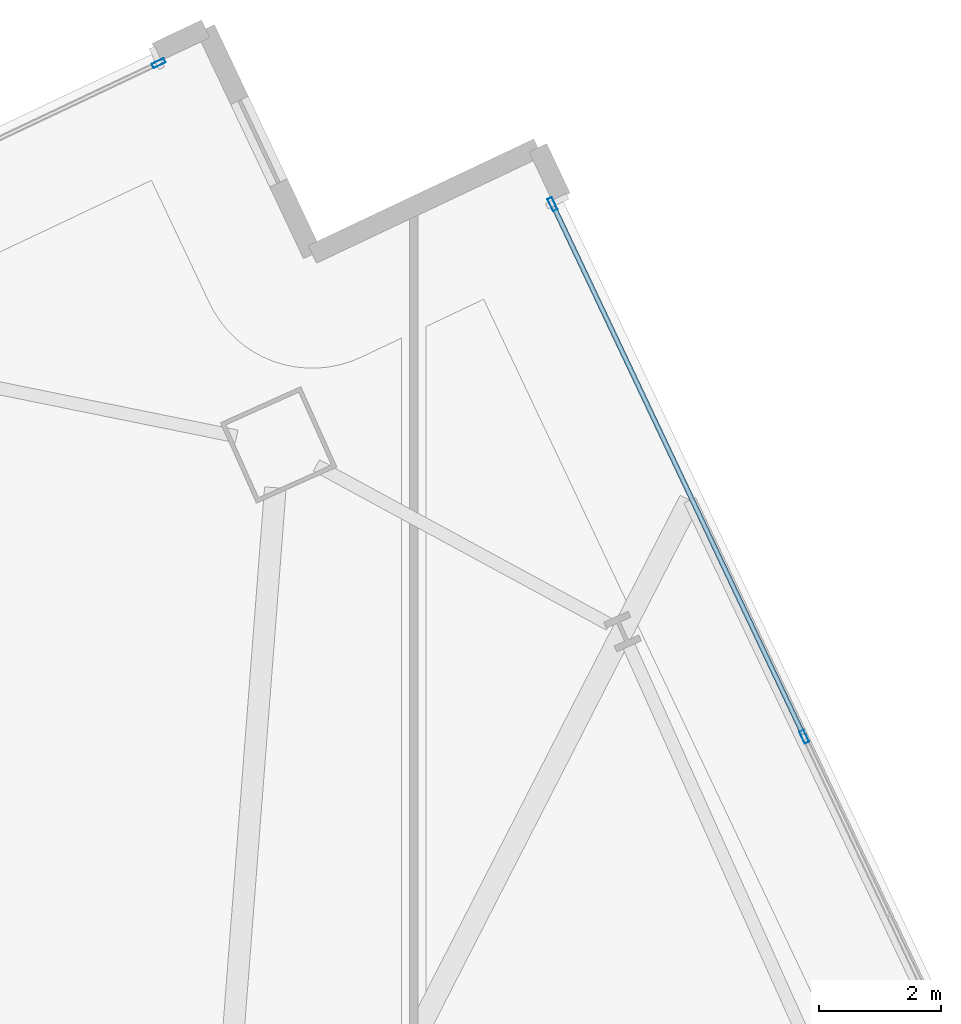
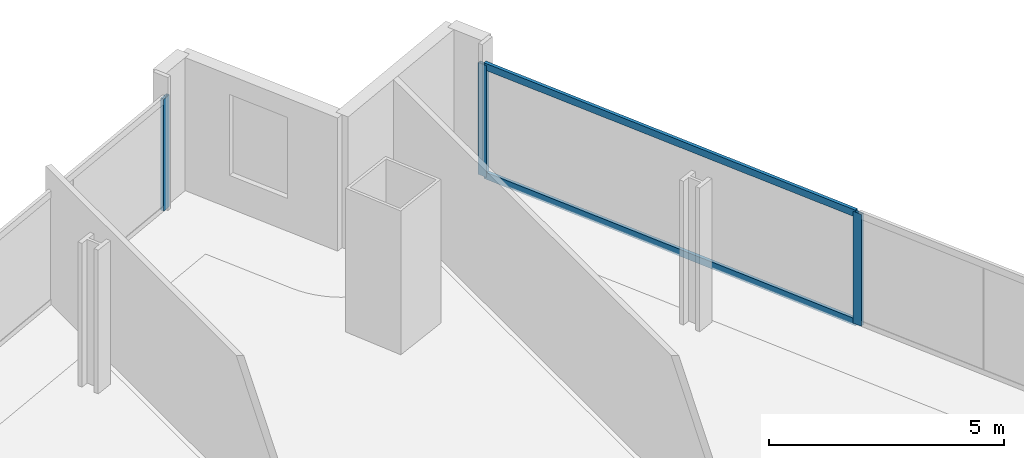
# One storey, part 22 of 34: 5 members, 2 elements without a shape of their own.
"""IFC4 building model written with IfcOpenShell, lengths in metres."""

from ifc_helpers import new_model, si_unit, direction, frame, origin, origin_2d, place, context, subcontext, project, spatial, hollow_rectangle, extrude, material, material_profile, profile_set, type_object, element, aggregate, save


model = new_model("IFC4")

# Units and contexts
model_context = context("Model", 3, precision=1e-05, world=origin(), true_north=direction((0.0, 1.0)))
body_context = subcontext(model_context, "Body", "Model", "MODEL_VIEW")
ifc_project = project(units=[si_unit("LENGTHUNIT", "METRE"), si_unit("AREAUNIT", "SQUARE_METRE"), si_unit("VOLUMEUNIT", "CUBIC_METRE"), si_unit("PLANEANGLEUNIT", "RADIAN"), si_unit("MASSUNIT", "GRAM", prefix="KILO")], contexts=[model_context])

# Site, building, storey
site_placement = place(None, origin())
site = spatial("IfcSite", under=ifc_project, at=site_placement, CompositionType="ELEMENT")
building_placement = place(site_placement, origin())
building = spatial("IfcBuilding", under=site, at=building_placement, Name="Haldenkirk Collegiate Tower", CompositionType="ELEMENT")
storey_placement = place(building_placement, frame((0.0, 0.0, 112.949951171875)))
storey = spatial("IfcBuildingStorey", under=building, at=storey_placement, Name="L27", CompositionType="ELEMENT", Elevation=112.949951171875)

# Curtain wall, members
ifc_material = material(Name="Anodised architectural bronze aluminium", Category="aluminium")
curtain_wall_type = type_object("IfcCurtainWallType", Name="CW-SYS1-CONVEX-LOW", PredefinedType="USERDEFINED", material=ifc_material)
curtain_wall_1_placement = place(storey_placement, origin())
curtain_wall_1 = element("IfcCurtainWall", 1, at=curtain_wall_1_placement, inside=storey, type_object=curtain_wall_type, Name="L27 Lower tower convex bronze-framed unitised curtain wall", ObjectType="UNITISED CURTAIN WALL", PredefinedType="USERDEFINED")
ifc_material_profile_1 = material_profile(ifc_material, hollow_rectangle(XDim=0.080078125, YDim=0.219970703125, WallThickness=0.0048828125, at=origin_2d()), Name="CW-MUL-1A")
ifc_profile_set_1 = profile_set([ifc_material_profile_1], Name="Anodised architectural bronze aluminium")
member_type_1 = type_object("IfcMemberType", Name="CW-MUL-1A", PredefinedType="MULLION", material=ifc_profile_set_1)
member_1_placement = place(storey_placement, frame((50.77978515625, 54.566162109375, 0.0), z_axis=(0.0, 0.0, 1.0), x_axis=(0.904082873954, 0.427357177338, 0.0)))
member_1 = element("IfcMember", 2, at=member_1_placement, type_object=member_type_1, Name="CW-1A mullion 1", PredefinedType="MULLION", context=body_context, shape_type="SweptSolid", body=[
    extrude(hollow_rectangle(XDim=0.080078125, YDim=0.219970703125, WallThickness=0.0048828125, at=origin_2d()), origin(), (0.0, 0.0, 1.0), 2.901123046875),
])
member_2_placement = place(storey_placement, frame((54.916015625, 45.81591796875, 0.0), z_axis=(0.0, 0.0, 1.0), x_axis=(0.904082873954, 0.427357177338, 0.0)))
member_2 = element("IfcMember", 3, at=member_2_placement, type_object=member_type_1, Name="CW-1A mullion 2", PredefinedType="MULLION", context=body_context, shape_type="SweptSolid", body=[
    extrude(hollow_rectangle(XDim=0.080078125, YDim=0.219970703125, WallThickness=0.0048828125, at=origin_2d()), origin(), (0.0, 0.0, 1.0), 2.901123046875),
])

# Curtain wall, member
curtain_wall_2_placement = place(storey_placement, origin())
curtain_wall_2 = element("IfcCurtainWall", 4, at=curtain_wall_2_placement, inside=storey, type_object=curtain_wall_type, Name="L27 Lower tower convex bronze-framed unitised curtain wall", ObjectType="UNITISED CURTAIN WALL", PredefinedType="USERDEFINED")
member_3_placement = place(storey_placement, frame((44.308837890625, 56.883056640625, 0.0), z_axis=(0.0, 0.0, 1.0), x_axis=(-0.42735906226, 0.904081982955, 0.0)))
member_3 = element("IfcMember", 5, at=member_3_placement, type_object=member_type_1, Name="CW-1A mullion 5", PredefinedType="MULLION", context=body_context, shape_type="SweptSolid", body=[
    extrude(hollow_rectangle(XDim=0.080078125, YDim=0.219970703125, WallThickness=0.0048828125, at=origin_2d()), origin(), (0.0, 0.0, 1.0), 2.901123046875),
])
aggregate(curtain_wall_2, [member_3])

# Member
ifc_material_profile_2 = material_profile(ifc_material, hollow_rectangle(XDim=0.080078125, YDim=0.179931640625, WallThickness=0.0048828125, at=origin_2d()), Name="CW-TRN-1A")
ifc_profile_set_2 = profile_set([ifc_material_profile_2], Name="Anodised architectural bronze aluminium")
member_type_2 = type_object("IfcMemberType", Name="CW-TRN-1A", PredefinedType="USERDEFINED", material=ifc_profile_set_2)
member_4_placement = place(storey_placement, frame((50.796875, 54.530029296875, 0.0400390625), z_axis=(0.427356937721, -0.904082987221, 0.0), x_axis=(0.904082987221, 0.427356937721, 0.0)))
member_4 = element("IfcMember", 6, at=member_4_placement, type_object=member_type_2, Name="CW-1A transom 1.1", ObjectType="TRANSOM", PredefinedType="USERDEFINED", context=body_context, shape_type="SweptSolid", body=[
    extrude(hollow_rectangle(XDim=0.080078125, YDim=0.179931640625, WallThickness=0.0048828125, at=origin_2d()), origin(), (0.0, 0.0, 1.0), 9.5986328125),
])

member_5_placement = place(storey_placement, frame((50.796875, 54.530029296875, 2.861083984375), z_axis=(0.427356937721, -0.904082987221, 0.0), x_axis=(0.904082987221, 0.427356937721, 0.0)))
member_5 = element("IfcMember", 7, at=member_5_placement, type_object=member_type_2, Name="CW-1A transom 1.2", ObjectType="TRANSOM", PredefinedType="USERDEFINED", context=body_context, shape_type="SweptSolid", body=[
    extrude(hollow_rectangle(XDim=0.080078125, YDim=0.179931640625, WallThickness=0.0048828125, at=origin_2d()), origin(), (0.0, 0.0, 1.0), 9.5986328125),
])

aggregate(curtain_wall_1, [member_1, member_2, member_4, member_5])

save(model, "model.ifc")
